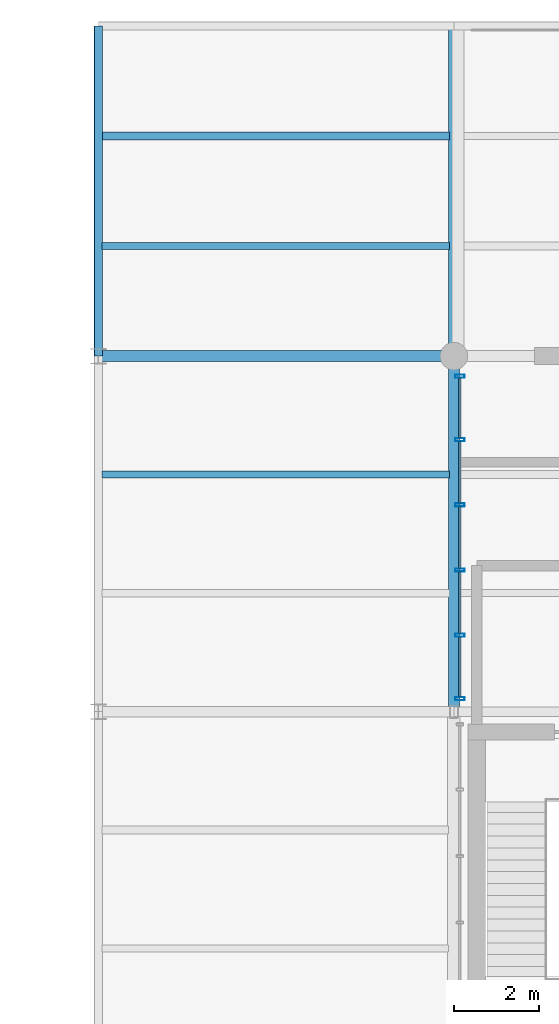
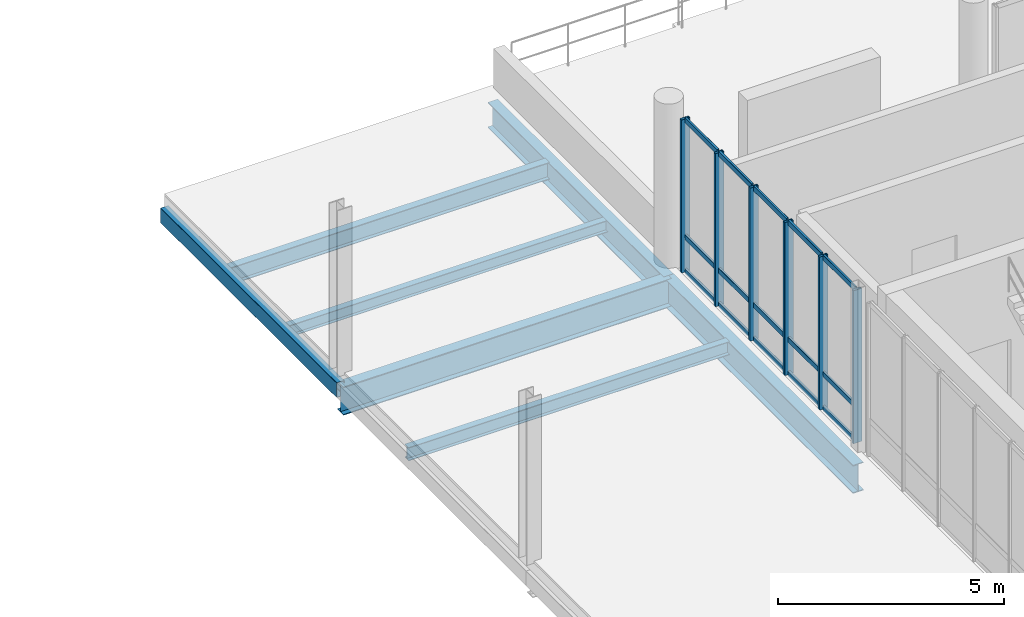
# One storey, part 41 of 66: 21 members, 7 beams, 1 element without a shape of its own.
"""IFC4 building model written with IfcOpenShell, lengths in metres."""

from ifc_helpers import new_model, si_unit, direction, frame, origin_with_axes, origin_2d_with_axis, place, context, subcontext, project, spatial, hollow_rectangle, i_section, extrude, material, material_profile, profile_set, type_object, element, aggregate, save


model = new_model("IFC4")

# Units and contexts
model_context = context("Model", 3, precision=1e-05, world=origin_with_axes(), true_north=direction((0.0, 1.0)))
body_context = subcontext(model_context, "Body", "Model", "MODEL_VIEW")
ifc_project = project(units=[si_unit("LENGTHUNIT", "METRE"), si_unit("AREAUNIT", "SQUARE_METRE"), si_unit("VOLUMEUNIT", "CUBIC_METRE"), si_unit("PLANEANGLEUNIT", "RADIAN"), si_unit("MASSUNIT", "GRAM", prefix="KILO"), si_unit("THERMODYNAMICTEMPERATUREUNIT", "KELVIN")], contexts=[model_context])

# Site, building, storey
site_placement = place(None, origin_with_axes())
site = spatial("IfcSite", under=ifc_project, at=site_placement, CompositionType="ELEMENT")
building_placement = place(site_placement, origin_with_axes())
building = spatial("IfcBuilding", under=site, at=building_placement, Name="Montbau Bow Law Courts", CompositionType="ELEMENT")
storey_placement = place(building_placement, frame((0.0, 0.0, 34.5), z_axis=(0.0, 0.0, 1.0), x_axis=(1.0, 0.0, 0.0)))
storey = spatial("IfcBuildingStorey", under=building, at=storey_placement, Name="L07", CompositionType="ELEMENT", Elevation=34.5)

# Beams
ifc_material_1 = material(Name="Steel CSA G40.21 Grade 350W (350 MPa)", Category="steel")
ifc_material_profile_1 = material_profile(ifc_material_1, i_section(OverallWidth=0.267, OverallDepth=0.766, WebThickness=0.0149, FlangeThickness=0.0236, at=origin_2d_with_axis()), Name="W760X185", Category="Main", Priority=0)
ifc_profile_set_1 = profile_set([ifc_material_profile_1], Name="Steel CSA G40.21 Grade 350W (350 MPa)")
beam_type_1 = type_object("IfcBeamType", Name="B-FLR-03", PredefinedType="BEAM", material=ifc_profile_set_1)
for number, where, z_axis, x_axis, name in (
    (1, (138.6, 103.2, 33.757), (1.0, 0.0, 0.0), (0.0, 1.0, 0.0), "BM-L07-S1350:bm2_1353"),
    (2, (147.0, 94.8, 33.757), (0.0, 1.0, 0.0), (-1.0, 0.0, 0.0), "BM-L07-S1364:bm2_1367"),
):
    element("IfcBeam", number, at=place(None, frame(where, z_axis=z_axis, x_axis=x_axis)), inside=storey, type_object=beam_type_1, Name=name, PredefinedType="BEAM", context=body_context, shape_type="SweptSolid", body=[
        extrude(i_section(OverallWidth=0.267, OverallDepth=0.766, WebThickness=0.0149, FlangeThickness=0.0236, at=origin_2d_with_axis()), origin_with_axes(), (0.0, 0.0, 1.0), 8.4),
    ])
ifc_material_profile_2 = material_profile(ifc_material_1, i_section(OverallWidth=0.254, OverallDepth=0.688, WebThickness=0.0131, FlangeThickness=0.0211, at=origin_2d_with_axis()), Name="W690X152", Category="Main", Priority=0)
ifc_profile_set_2 = profile_set([ifc_material_profile_2], Name="Steel CSA G40.21 Grade 350W (350 MPa)")
beam_type_2 = type_object("IfcBeamType", Name="B-FLR-04", PredefinedType="BEAM", material=ifc_profile_set_2)
beam_1_placement = place(None, frame((147.0, 103.2, 33.796), z_axis=(0.0, 1.0, 0.0), x_axis=(-1.0, 0.0, 0.0)))
element("IfcBeam", 3, at=beam_1_placement, inside=storey, type_object=beam_type_2, Name="BM-L07-S1365:bm2_1368", PredefinedType="BEAM", context=body_context, shape_type="SweptSolid", body=[
    extrude(i_section(OverallWidth=0.254, OverallDepth=0.688, WebThickness=0.0131, FlangeThickness=0.0211, at=origin_2d_with_axis()), origin_with_axes(), (0.0, 0.0, 1.0), 7.8),
])
ifc_material_profile_3 = material_profile(ifc_material_1, i_section(OverallWidth=0.191, OverallDepth=0.46, WebThickness=0.0099, FlangeThickness=0.016, at=origin_2d_with_axis()), Name="W460X82", Category="Main", Priority=0)
ifc_profile_set_3 = profile_set([ifc_material_profile_3], Name="Steel CSA G40.21 Grade 350W (350 MPa)")
beam_type_3 = type_object("IfcBeamType", Name="B-JST-01", PredefinedType="JOIST", material=ifc_profile_set_3)
beam_2_placement = place(None, frame((138.68, 108.4, 33.91), z_axis=(1.0, 0.0, 0.0), x_axis=(0.0, 1.0, 0.0)))
element("IfcBeam", 4, at=beam_2_placement, inside=storey, type_object=beam_type_3, Name="JST-L07-S0744:jst2_0744", PredefinedType="JOIST", context=body_context, shape_type="SweptSolid", body=[
    extrude(i_section(OverallWidth=0.191, OverallDepth=0.46, WebThickness=0.0099, FlangeThickness=0.016, at=origin_2d_with_axis()), origin_with_axes(), (0.0, 0.0, 1.0), 8.217),
])
ifc_material_profile_4 = material_profile(ifc_material_1, i_section(OverallWidth=0.172, OverallDepth=0.358, WebThickness=0.0079, FlangeThickness=0.0131, at=origin_2d_with_axis()), Name="W360X57", Category="Main", Priority=0)
ifc_profile_set_4 = profile_set([ifc_material_profile_4], Name="Steel CSA G40.21 Grade 350W (350 MPa)")
beam_type_4 = type_object("IfcBeamType", Name="B-JST-03", PredefinedType="JOIST", material=ifc_profile_set_4)
beam_3_placement = place(None, frame((138.68, 100.4, 33.961), z_axis=(1.0, 0.0, 0.0), x_axis=(0.0, 1.0, 0.0)))
element("IfcBeam", 5, at=beam_3_placement, inside=storey, type_object=beam_type_4, Name="JST-L07-S0742:jst2_0742", PredefinedType="JOIST", context=body_context, shape_type="SweptSolid", body=[
    extrude(i_section(OverallWidth=0.172, OverallDepth=0.358, WebThickness=0.0079, FlangeThickness=0.0131, at=origin_2d_with_axis()), origin_with_axes(), (0.0, 0.0, 1.0), 8.211),
])
ifc_material_profile_5 = material_profile(ifc_material_1, i_section(OverallWidth=0.166, OverallDepth=0.313, WebThickness=0.0066, FlangeThickness=0.0112, at=origin_2d_with_axis()), Name="W310X45", Category="Main", Priority=0)
ifc_profile_set_5 = profile_set([ifc_material_profile_5], Name="Steel CSA G40.21 Grade 350W (350 MPa)")
beam_type_5 = type_object("IfcBeamType", Name="B-JST-04", PredefinedType="JOIST", material=ifc_profile_set_5)
beam_4_placement = place(None, frame((138.68, 105.8, 33.983), z_axis=(1.0, 0.0, 0.0), x_axis=(0.0, 1.0, 0.0)))
element("IfcBeam", 6, at=beam_4_placement, inside=storey, type_object=beam_type_5, Name="JST-L07-S0743:jst2_0743", PredefinedType="JOIST", context=body_context, shape_type="SweptSolid", body=[
    extrude(i_section(OverallWidth=0.166, OverallDepth=0.313, WebThickness=0.0066, FlangeThickness=0.0112, at=origin_2d_with_axis()), origin_with_axes(), (0.0, 0.0, 1.0), 8.217),
])
ifc_material_2 = material(Name="Steel CSA G40.21 Grade 350WT (350 MPa)", Category="steel")
ifc_material_profile_6 = material_profile(ifc_material_2, hollow_rectangle(XDim=0.203, YDim=0.406, WallThickness=0.0127, InnerFilletRadius=0.0254, OuterFilletRadius=0.0127, at=origin_2d_with_axis()), Name="HSS406X203X13", Category="Main", Priority=0)
ifc_profile_set_6 = profile_set([ifc_material_profile_6], Name="Steel CSA G40.21 Grade 350WT (350 MPa)")
beam_type_6 = type_object("IfcBeamType", Name="B-SPN-01", PredefinedType="SPANDREL", material=ifc_profile_set_6)
beam_5_placement = place(None, frame((138.6, 103.2, 34.007), z_axis=(0.0, 1.0, 0.0), x_axis=(-1.0, 0.0, 0.0)))
element("IfcBeam", 7, at=beam_5_placement, inside=storey, type_object=beam_type_6, Name="SPN-L07-S1361:bm2_1364", PredefinedType="SPANDREL", context=body_context, shape_type="SweptSolid", body=[
    extrude(hollow_rectangle(XDim=0.203, YDim=0.406, WallThickness=0.0127, InnerFilletRadius=0.0254, OuterFilletRadius=0.0127, at=origin_2d_with_axis()), origin_with_axes(), (0.0, 0.0, 1.0), 7.8),
])

# Curtain wall, members
ifc_material_3 = material(Name="Thermally Broken Extruded Aluminium AA 6063-T6", Category="aluminium")
curtain_wall_type = type_object("IfcCurtainWallType", Name="CW-NCK-03", PredefinedType="NOTDEFINED", material=ifc_material_3)
curtain_wall_placement = place(None, frame((147.14, 95.067, 34.5), z_axis=(0.0, 0.0, 1.0), x_axis=(1.0, 0.0, 0.0)))
curtain_wall = element("IfcCurtainWall", 8, at=curtain_wall_placement, inside=storey, type_object=curtain_wall_type, Name="CW-L07-369:cw_0369", PredefinedType="NOTDEFINED")
ifc_material_profile_7 = material_profile(ifc_material_3, hollow_rectangle(XDim=0.075, YDim=0.22, WallThickness=0.005, InnerFilletRadius=0.01, OuterFilletRadius=0.005, at=origin_2d_with_axis()), Name="CWM-220X75", Category="Main", Priority=0)
ifc_profile_set_7 = profile_set([ifc_material_profile_7], Name="Thermally Broken Extruded Aluminium AA 6063-T6")
member_type_1 = type_object("IfcMemberType", Name="M-MUL-01", PredefinedType="MULLION", material=ifc_profile_set_7)
member_1_placement = place(None, frame((147.14, 95.104, 34.5), z_axis=(0.0, 0.0, 1.0), x_axis=(0.0, 1.0, 0.0)))
member_1 = element("IfcMember", 9, at=member_1_placement, type_object=member_type_1, Name="CW-L07-369-M01:cw_0369_M01", PredefinedType="MULLION", context=body_context, shape_type="SweptSolid", body=[
    extrude(hollow_rectangle(XDim=0.075, YDim=0.22, WallThickness=0.005, InnerFilletRadius=0.01, OuterFilletRadius=0.005, at=origin_2d_with_axis()), origin_with_axes(), (0.0, 0.0, 1.0), 4.14),
])
member_2_placement = place(None, frame((147.14, 96.606, 34.5), z_axis=(0.0, 0.0, 1.0), x_axis=(0.0, 1.0, 0.0)))
member_2 = element("IfcMember", 10, at=member_2_placement, type_object=member_type_1, Name="CW-L07-369-M02:cw_0369_M02", PredefinedType="MULLION", context=body_context, shape_type="SweptSolid", body=[
    extrude(hollow_rectangle(XDim=0.075, YDim=0.22, WallThickness=0.005, InnerFilletRadius=0.01, OuterFilletRadius=0.005, at=origin_2d_with_axis()), origin_with_axes(), (0.0, 0.0, 1.0), 4.14),
])
member_3_placement = place(None, frame((147.14, 98.144, 34.5), z_axis=(0.0, 0.0, 1.0), x_axis=(0.0, 1.0, 0.0)))
member_3 = element("IfcMember", 11, at=member_3_placement, type_object=member_type_1, Name="CW-L07-369-M03:cw_0369_M03", PredefinedType="MULLION", context=body_context, shape_type="SweptSolid", body=[
    extrude(hollow_rectangle(XDim=0.075, YDim=0.22, WallThickness=0.005, InnerFilletRadius=0.01, OuterFilletRadius=0.005, at=origin_2d_with_axis()), origin_with_axes(), (0.0, 0.0, 1.0), 4.14),
])
member_4_placement = place(None, frame((147.14, 99.683, 34.5), z_axis=(0.0, 0.0, 1.0), x_axis=(0.0, 1.0, 0.0)))
member_4 = element("IfcMember", 12, at=member_4_placement, type_object=member_type_1, Name="CW-L07-369-M04:cw_0369_M04", PredefinedType="MULLION", context=body_context, shape_type="SweptSolid", body=[
    extrude(hollow_rectangle(XDim=0.075, YDim=0.22, WallThickness=0.005, InnerFilletRadius=0.01, OuterFilletRadius=0.005, at=origin_2d_with_axis()), origin_with_axes(), (0.0, 0.0, 1.0), 4.14),
])
member_5_placement = place(None, frame((147.14, 101.221, 34.5), z_axis=(0.0, 0.0, 1.0), x_axis=(0.0, 1.0, 0.0)))
member_5 = element("IfcMember", 13, at=member_5_placement, type_object=member_type_1, Name="CW-L07-369-M05:cw_0369_M05", PredefinedType="MULLION", context=body_context, shape_type="SweptSolid", body=[
    extrude(hollow_rectangle(XDim=0.075, YDim=0.22, WallThickness=0.005, InnerFilletRadius=0.01, OuterFilletRadius=0.005, at=origin_2d_with_axis()), origin_with_axes(), (0.0, 0.0, 1.0), 4.14),
])
member_6_placement = place(None, frame((147.14, 102.723, 34.5), z_axis=(0.0, 0.0, 1.0), x_axis=(0.0, 1.0, 0.0)))
member_6 = element("IfcMember", 14, at=member_6_placement, type_object=member_type_1, Name="CW-L07-369-M06:cw_0369_M06", PredefinedType="MULLION", context=body_context, shape_type="SweptSolid", body=[
    extrude(hollow_rectangle(XDim=0.075, YDim=0.22, WallThickness=0.005, InnerFilletRadius=0.01, OuterFilletRadius=0.005, at=origin_2d_with_axis()), origin_with_axes(), (0.0, 0.0, 1.0), 4.14),
])
ifc_material_profile_8 = material_profile(ifc_material_3, hollow_rectangle(XDim=0.055, YDim=0.14, WallThickness=0.004, InnerFilletRadius=0.008, OuterFilletRadius=0.004, at=origin_2d_with_axis()), Name="CWT-140X55", Category="Main", Priority=0)
ifc_profile_set_8 = profile_set([ifc_material_profile_8], Name="Thermally Broken Extruded Aluminium AA 6063-T6")
member_type_2 = type_object("IfcMemberType", Name="M-TRN-02", PredefinedType="USERDEFINED", material=ifc_profile_set_8)
member_7_placement = place(None, frame((147.14, 95.143, 34.528), z_axis=(0.0, 1.0, 0.0), x_axis=(-1.0, 0.0, 0.0)))
member_7 = element("IfcMember", 15, at=member_7_placement, type_object=member_type_2, Name="CW-L07-369-T01-1:cw_0369_T01_1", ObjectType="TRANSOM", PredefinedType="USERDEFINED", context=body_context, shape_type="SweptSolid", body=[
    extrude(hollow_rectangle(XDim=0.055, YDim=0.14, WallThickness=0.004, InnerFilletRadius=0.008, OuterFilletRadius=0.004, at=origin_2d_with_axis()), origin_with_axes(), (0.0, 0.0, 1.0), 1.423),
])
member_8_placement = place(None, frame((147.14, 95.143, 35.45), z_axis=(0.0, 1.0, 0.0), x_axis=(-1.0, 0.0, 0.0)))
member_8 = element("IfcMember", 16, at=member_8_placement, type_object=member_type_2, Name="CW-L07-369-T01-2:cw_0369_T01_2", ObjectType="TRANSOM", PredefinedType="USERDEFINED", context=body_context, shape_type="SweptSolid", body=[
    extrude(hollow_rectangle(XDim=0.055, YDim=0.14, WallThickness=0.004, InnerFilletRadius=0.008, OuterFilletRadius=0.004, at=origin_2d_with_axis()), origin_with_axes(), (0.0, 0.0, 1.0), 1.423),
])
member_9_placement = place(None, frame((147.14, 95.143, 38.612), z_axis=(0.0, 1.0, 0.0), x_axis=(-1.0, 0.0, 0.0)))
member_9 = element("IfcMember", 17, at=member_9_placement, type_object=member_type_2, Name="CW-L07-369-T01-3:cw_0369_T01_3", ObjectType="TRANSOM", PredefinedType="USERDEFINED", context=body_context, shape_type="SweptSolid", body=[
    extrude(hollow_rectangle(XDim=0.055, YDim=0.14, WallThickness=0.004, InnerFilletRadius=0.008, OuterFilletRadius=0.004, at=origin_2d_with_axis()), origin_with_axes(), (0.0, 0.0, 1.0), 1.423),
])
member_10_placement = place(None, frame((147.14, 96.646, 34.528), z_axis=(0.0, 1.0, 0.0), x_axis=(-1.0, 0.0, 0.0)))
member_10 = element("IfcMember", 18, at=member_10_placement, type_object=member_type_2, Name="CW-L07-369-T02-1:cw_0369_T02_1", ObjectType="TRANSOM", PredefinedType="USERDEFINED", context=body_context, shape_type="SweptSolid", body=[
    extrude(hollow_rectangle(XDim=0.055, YDim=0.14, WallThickness=0.004, InnerFilletRadius=0.008, OuterFilletRadius=0.004, at=origin_2d_with_axis()), origin_with_axes(), (0.0, 0.0, 1.0), 1.459),
])
member_11_placement = place(None, frame((147.14, 96.646, 35.45), z_axis=(0.0, 1.0, 0.0), x_axis=(-1.0, 0.0, 0.0)))
member_11 = element("IfcMember", 19, at=member_11_placement, type_object=member_type_2, Name="CW-L07-369-T02-2:cw_0369_T02_2", ObjectType="TRANSOM", PredefinedType="USERDEFINED", context=body_context, shape_type="SweptSolid", body=[
    extrude(hollow_rectangle(XDim=0.055, YDim=0.14, WallThickness=0.004, InnerFilletRadius=0.008, OuterFilletRadius=0.004, at=origin_2d_with_axis()), origin_with_axes(), (0.0, 0.0, 1.0), 1.459),
])
member_12_placement = place(None, frame((147.14, 96.646, 38.612), z_axis=(0.0, 1.0, 0.0), x_axis=(-1.0, 0.0, 0.0)))
member_12 = element("IfcMember", 20, at=member_12_placement, type_object=member_type_2, Name="CW-L07-369-T02-3:cw_0369_T02_3", ObjectType="TRANSOM", PredefinedType="USERDEFINED", context=body_context, shape_type="SweptSolid", body=[
    extrude(hollow_rectangle(XDim=0.055, YDim=0.14, WallThickness=0.004, InnerFilletRadius=0.008, OuterFilletRadius=0.004, at=origin_2d_with_axis()), origin_with_axes(), (0.0, 0.0, 1.0), 1.459),
])
member_13_placement = place(None, frame((147.14, 98.183, 34.528), z_axis=(0.0, 1.0, 0.0), x_axis=(-1.0, 0.0, 0.0)))
member_13 = element("IfcMember", 21, at=member_13_placement, type_object=member_type_2, Name="CW-L07-369-T03-1:cw_0369_T03_1", ObjectType="TRANSOM", PredefinedType="USERDEFINED", context=body_context, shape_type="SweptSolid", body=[
    extrude(hollow_rectangle(XDim=0.055, YDim=0.14, WallThickness=0.004, InnerFilletRadius=0.008, OuterFilletRadius=0.004, at=origin_2d_with_axis()), origin_with_axes(), (0.0, 0.0, 1.0), 1.461),
])
member_14_placement = place(None, frame((147.14, 98.183, 35.45), z_axis=(0.0, 1.0, 0.0), x_axis=(-1.0, 0.0, 0.0)))
member_14 = element("IfcMember", 22, at=member_14_placement, type_object=member_type_2, Name="CW-L07-369-T03-2:cw_0369_T03_2", ObjectType="TRANSOM", PredefinedType="USERDEFINED", context=body_context, shape_type="SweptSolid", body=[
    extrude(hollow_rectangle(XDim=0.055, YDim=0.14, WallThickness=0.004, InnerFilletRadius=0.008, OuterFilletRadius=0.004, at=origin_2d_with_axis()), origin_with_axes(), (0.0, 0.0, 1.0), 1.461),
])
member_15_placement = place(None, frame((147.14, 98.183, 38.612), z_axis=(0.0, 1.0, 0.0), x_axis=(-1.0, 0.0, 0.0)))
member_15 = element("IfcMember", 23, at=member_15_placement, type_object=member_type_2, Name="CW-L07-369-T03-3:cw_0369_T03_3", ObjectType="TRANSOM", PredefinedType="USERDEFINED", context=body_context, shape_type="SweptSolid", body=[
    extrude(hollow_rectangle(XDim=0.055, YDim=0.14, WallThickness=0.004, InnerFilletRadius=0.008, OuterFilletRadius=0.004, at=origin_2d_with_axis()), origin_with_axes(), (0.0, 0.0, 1.0), 1.461),
])
member_16_placement = place(None, frame((147.14, 99.722, 34.528), z_axis=(0.0, 1.0, 0.0), x_axis=(-1.0, 0.0, 0.0)))
member_16 = element("IfcMember", 24, at=member_16_placement, type_object=member_type_2, Name="CW-L07-369-T04-1:cw_0369_T04_1", ObjectType="TRANSOM", PredefinedType="USERDEFINED", context=body_context, shape_type="SweptSolid", body=[
    extrude(hollow_rectangle(XDim=0.055, YDim=0.14, WallThickness=0.004, InnerFilletRadius=0.008, OuterFilletRadius=0.004, at=origin_2d_with_axis()), origin_with_axes(), (0.0, 0.0, 1.0), 1.46),
])
member_17_placement = place(None, frame((147.14, 99.722, 35.45), z_axis=(0.0, 1.0, 0.0), x_axis=(-1.0, 0.0, 0.0)))
member_17 = element("IfcMember", 25, at=member_17_placement, type_object=member_type_2, Name="CW-L07-369-T04-2:cw_0369_T04_2", ObjectType="TRANSOM", PredefinedType="USERDEFINED", context=body_context, shape_type="SweptSolid", body=[
    extrude(hollow_rectangle(XDim=0.055, YDim=0.14, WallThickness=0.004, InnerFilletRadius=0.008, OuterFilletRadius=0.004, at=origin_2d_with_axis()), origin_with_axes(), (0.0, 0.0, 1.0), 1.46),
])
member_18_placement = place(None, frame((147.14, 99.722, 38.612), z_axis=(0.0, 1.0, 0.0), x_axis=(-1.0, 0.0, 0.0)))
member_18 = element("IfcMember", 26, at=member_18_placement, type_object=member_type_2, Name="CW-L07-369-T04-3:cw_0369_T04_3", ObjectType="TRANSOM", PredefinedType="USERDEFINED", context=body_context, shape_type="SweptSolid", body=[
    extrude(hollow_rectangle(XDim=0.055, YDim=0.14, WallThickness=0.004, InnerFilletRadius=0.008, OuterFilletRadius=0.004, at=origin_2d_with_axis()), origin_with_axes(), (0.0, 0.0, 1.0), 1.46),
])
member_19_placement = place(None, frame((147.14, 101.26, 34.528), z_axis=(0.0, 1.0, 0.0), x_axis=(-1.0, 0.0, 0.0)))
member_19 = element("IfcMember", 27, at=member_19_placement, type_object=member_type_2, Name="CW-L07-369-T05-1:cw_0369_T05_1", ObjectType="TRANSOM", PredefinedType="USERDEFINED", context=body_context, shape_type="SweptSolid", body=[
    extrude(hollow_rectangle(XDim=0.055, YDim=0.14, WallThickness=0.004, InnerFilletRadius=0.008, OuterFilletRadius=0.004, at=origin_2d_with_axis()), origin_with_axes(), (0.0, 0.0, 1.0), 1.424),
])
member_20_placement = place(None, frame((147.14, 101.26, 35.45), z_axis=(0.0, 1.0, 0.0), x_axis=(-1.0, 0.0, 0.0)))
member_20 = element("IfcMember", 28, at=member_20_placement, type_object=member_type_2, Name="CW-L07-369-T05-2:cw_0369_T05_2", ObjectType="TRANSOM", PredefinedType="USERDEFINED", context=body_context, shape_type="SweptSolid", body=[
    extrude(hollow_rectangle(XDim=0.055, YDim=0.14, WallThickness=0.004, InnerFilletRadius=0.008, OuterFilletRadius=0.004, at=origin_2d_with_axis()), origin_with_axes(), (0.0, 0.0, 1.0), 1.424),
])
member_21_placement = place(None, frame((147.14, 101.26, 38.612), z_axis=(0.0, 1.0, 0.0), x_axis=(-1.0, 0.0, 0.0)))
member_21 = element("IfcMember", 29, at=member_21_placement, type_object=member_type_2, Name="CW-L07-369-T05-3:cw_0369_T05_3", ObjectType="TRANSOM", PredefinedType="USERDEFINED", context=body_context, shape_type="SweptSolid", body=[
    extrude(hollow_rectangle(XDim=0.055, YDim=0.14, WallThickness=0.004, InnerFilletRadius=0.008, OuterFilletRadius=0.004, at=origin_2d_with_axis()), origin_with_axes(), (0.0, 0.0, 1.0), 1.424),
])
aggregate(curtain_wall, [member_1, member_2, member_3, member_4, member_5, member_6, member_7, member_8, member_9, member_10, member_11, member_12, member_13, member_14, member_15, member_16, member_17, member_18, member_19, member_20, member_21])

save(model, "model.ifc")
